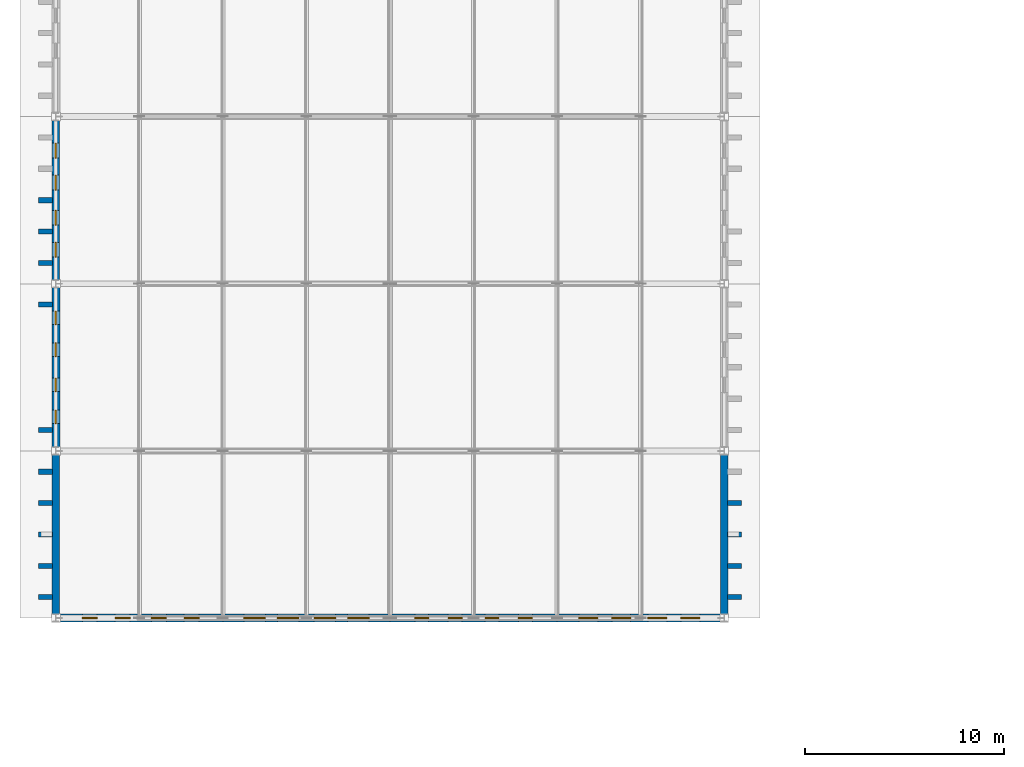
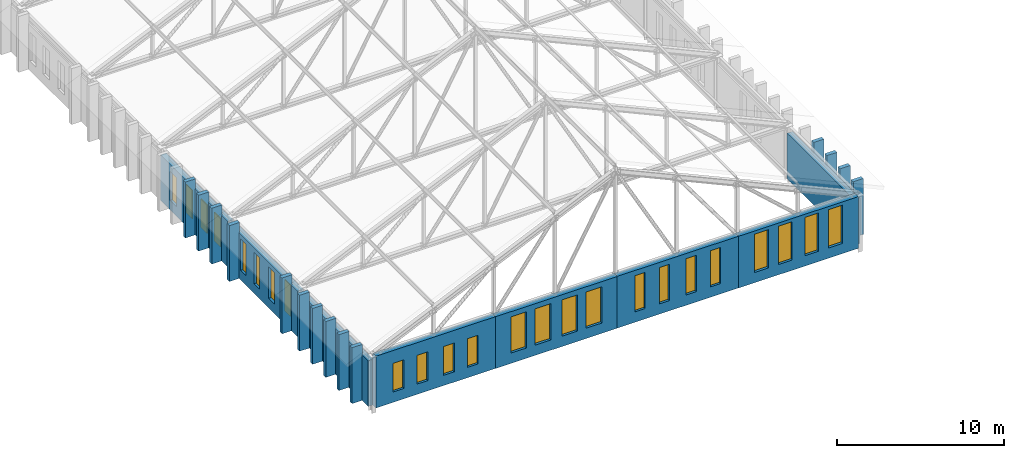
# One storey, part 82 of 110: 24 windows, 22 walls, 24 openings.
"""IFC4 building model written with IfcOpenShell, lengths in metres."""

from ifc_helpers import new_model, si_unit, direction, frame, frame_2d, origin, place, context, subcontext, project, spatial, rectangle, extrude, material, layer, layer_set, type_object, element, fill, save


model = new_model("IFC4")

# Units and contexts
model_context = context("Model", 3, precision=1e-05, world=origin(), true_north=direction((0.0, 1.0)))
body_context = subcontext(model_context, "Body", "Model", "MODEL_VIEW")
ifc_project = project(units=[si_unit("LENGTHUNIT", "METRE"), si_unit("AREAUNIT", "SQUARE_METRE"), si_unit("VOLUMEUNIT", "CUBIC_METRE"), si_unit("PLANEANGLEUNIT", "RADIAN"), si_unit("MASSUNIT", "GRAM", prefix="KILO")], contexts=[model_context])

# Site, building, storey
site_placement = place(None, origin())
site = spatial("IfcSite", under=ifc_project, at=site_placement, CompositionType="ELEMENT")
building_placement = place(site_placement, origin())
building = spatial("IfcBuilding", under=site, at=building_placement, Name="Kveldsbrygga Polytechnic", CompositionType="ELEMENT")
storey_placement = place(building_placement, frame((0.0, 0.0, 9.860107421875)))
storey = spatial("IfcBuildingStorey", under=building, at=storey_placement, Name="L02", CompositionType="ELEMENT", Elevation=9.860107421875)

# Wall, openings, windows
ifc_material_1 = material(Name="Fired clay brick masonry M10", Category="masonry")
ifc_layer_1 = layer(ifc_material_1, 0.3798828125)
ifc_layer_set_1 = layer_set([ifc_layer_1], Name="Fired clay brick masonry M10")
wall_type_1 = type_object("IfcWallType", Name="EW-BRICK-380", PredefinedType="SOLIDWALL", material=ifc_layer_set_1)
wall_1_placement = place(storey_placement, frame((0.135009765625, 25.199951171875, 0.0), z_axis=(0.0, 0.0, 1.0), x_axis=(1.0, 0.0, 0.0)))
wall_1 = element("IfcWall", 1, at=wall_1_placement, inside=storey, type_object=wall_type_1, Name="Exterior Brick Wall EW-L02-X-00-03", PredefinedType="SOLIDWALL", context=body_context, shape_type="SweptSolid", body=[
    extrude(rectangle(XDim=8.264892578125, YDim=0.3798828125, at=frame_2d((4.13232421875, 0.0))), origin(), (0.0, 0.0, 1.0), 3.77978515625),
])
opening_1_placement = place(wall_1_placement, frame((1.1953125, 0.0, 0.75)))
opening_1 = element("IfcOpeningElement", 2, at=opening_1_placement, cuts=wall_1, Name="Opening W-27", PredefinedType="OPENING", context=body_context, shape_type="SweptSolid", body=[
    extrude(rectangle(XDim=0.75, YDim=2.10009765625, at=frame_2d((0.375, 1.050048828125))), frame((0.0, 0.199951171875, 0.0), z_axis=(0.0, -1.0, 0.0), x_axis=(1.0, 0.0, 0.0)), (0.0, 0.0, 1.0), 0.39990234375),
])
opening_2_placement = place(wall_1_placement, frame((2.848388671875, 0.0, 0.75)))
opening_2 = element("IfcOpeningElement", 3, at=opening_2_placement, cuts=wall_1, Name="Opening W-27", PredefinedType="OPENING", context=body_context, shape_type="SweptSolid", body=[
    extrude(rectangle(XDim=0.75, YDim=2.10009765625, at=frame_2d((0.375, 1.050048828125))), frame((0.0, 0.199951171875, 0.0), z_axis=(0.0, -1.0, 0.0), x_axis=(1.0, 0.0, 0.0)), (0.0, 0.0, 1.0), 0.39990234375),
])
opening_3_placement = place(wall_1_placement, frame((4.666748046875, 0.0, 0.75)))
opening_3 = element("IfcOpeningElement", 4, at=opening_3_placement, cuts=wall_1, Name="Opening W-27", PredefinedType="OPENING", context=body_context, shape_type="SweptSolid", body=[
    extrude(rectangle(XDim=0.75, YDim=2.10009765625, at=frame_2d((0.375, 1.050048828125))), frame((0.0, 0.199951171875, 0.0), z_axis=(0.0, -1.0, 0.0), x_axis=(1.0, 0.0, 0.0)), (0.0, 0.0, 1.0), 0.39990234375),
])
opening_4_placement = place(wall_1_placement, frame((6.319580078125, 0.0, 0.75)))
opening_4 = element("IfcOpeningElement", 5, at=opening_4_placement, cuts=wall_1, Name="Opening W-27", PredefinedType="OPENING", context=body_context, shape_type="SweptSolid", body=[
    extrude(rectangle(XDim=0.75, YDim=2.10009765625, at=frame_2d((0.375, 1.050048828125))), frame((0.0, 0.199951171875, 0.0), z_axis=(0.0, -1.0, 0.0), x_axis=(1.0, 0.0, 0.0)), (0.0, 0.0, 1.0), 0.39990234375),
])
ifc_material_2 = material(Name="Insulated triple low-E glass", Category="glass")
window_type_1 = type_object("IfcWindowType", Name="WN-ATTIC-075x210", PartitioningType="DOUBLE_PANEL_VERTICAL", PredefinedType="WINDOW", material=ifc_material_2)
window_1_placement = place(opening_1_placement, origin())
window_1 = element("IfcWindow", 6, at=window_1_placement, inside=storey, type_object=window_type_1, Name="Gothic Lancet Window WIN-L02-X-00-03-1", OverallHeight=2.10009765625, OverallWidth=0.75, PartitioningType="DOUBLE_PANEL_VERTICAL", PredefinedType="WINDOW", context=body_context, shape_type="SweptSolid", body=[
    extrude(rectangle(XDim=0.75, YDim=2.10009765625, at=frame_2d((0.375, 1.050048828125))), frame((0.0, 0.030029296875, 0.0), z_axis=(0.0, -1.0, 0.0), x_axis=(1.0, 0.0, 0.0)), (0.0, 0.0, 1.0), 0.06005859375),
])
fill(opening_1, window_1)
window_2_placement = place(opening_2_placement, origin())
window_2 = element("IfcWindow", 7, at=window_2_placement, inside=storey, type_object=window_type_1, Name="Gothic Lancet Window WIN-L02-X-00-03-2", OverallHeight=2.10009765625, OverallWidth=0.75, PartitioningType="DOUBLE_PANEL_VERTICAL", PredefinedType="WINDOW", context=body_context, shape_type="SweptSolid", body=[
    extrude(rectangle(XDim=0.75, YDim=2.10009765625, at=frame_2d((0.375, 1.050048828125))), frame((0.0, 0.030029296875, 0.0), z_axis=(0.0, -1.0, 0.0), x_axis=(1.0, 0.0, 0.0)), (0.0, 0.0, 1.0), 0.06005859375),
])
fill(opening_2, window_2)
window_3_placement = place(opening_3_placement, origin())
window_3 = element("IfcWindow", 8, at=window_3_placement, inside=storey, type_object=window_type_1, Name="Gothic Lancet Window WIN-L02-X-00-03-3", OverallHeight=2.10009765625, OverallWidth=0.75, PartitioningType="DOUBLE_PANEL_VERTICAL", PredefinedType="WINDOW", context=body_context, shape_type="SweptSolid", body=[
    extrude(rectangle(XDim=0.75, YDim=2.10009765625, at=frame_2d((0.375, 1.050048828125))), frame((0.0, 0.030029296875, 0.0), z_axis=(0.0, -1.0, 0.0), x_axis=(1.0, 0.0, 0.0)), (0.0, 0.0, 1.0), 0.06005859375),
])
fill(opening_3, window_3)
window_4_placement = place(opening_4_placement, origin())
window_4 = element("IfcWindow", 9, at=window_4_placement, inside=storey, type_object=window_type_1, Name="Gothic Lancet Window WIN-L02-X-00-03-4", OverallHeight=2.10009765625, OverallWidth=0.75, PartitioningType="DOUBLE_PANEL_VERTICAL", PredefinedType="WINDOW", context=body_context, shape_type="SweptSolid", body=[
    extrude(rectangle(XDim=0.75, YDim=2.10009765625, at=frame_2d((0.375, 1.050048828125))), frame((0.0, 0.030029296875, 0.0), z_axis=(0.0, -1.0, 0.0), x_axis=(1.0, 0.0, 0.0)), (0.0, 0.0, 1.0), 0.06005859375),
])
fill(opening_4, window_4)

# Wall
wall_2_placement = place(storey_placement, frame((0.0, 25.385009765625, 0.0), z_axis=(0.0, 0.0, 1.0), x_axis=(0.0, 1.0, 0.0)))
element("IfcWall", 10, at=wall_2_placement, inside=storey, type_object=wall_type_1, Name="Exterior Brick Wall EW-L02-Y-00-03", PredefinedType="SOLIDWALL", context=body_context, shape_type="SweptSolid", body=[
    extrude(rectangle(XDim=8.030029296875, YDim=0.3798828125, at=frame_2d((4.01513671875, 0.0))), origin(), (0.0, 0.0, 1.0), 3.329833984375),
])

# Wall, openings, windows
wall_3_placement = place(storey_placement, frame((0.0, 42.18505859375, 0.0), z_axis=(0.0, 0.0, 1.0), x_axis=(0.0, 1.0, 0.0)))
wall_3 = element("IfcWall", 11, at=wall_3_placement, inside=storey, type_object=wall_type_1, Name="Exterior Brick Wall EW-L02-Y-00-05", PredefinedType="SOLIDWALL", context=body_context, shape_type="SweptSolid", body=[
    extrude(rectangle(XDim=8.030029296875, YDim=0.3798828125, at=frame_2d((4.01513671875, 0.0))), origin(), (0.0, 0.0, 1.0), 3.329833984375),
])
opening_5_placement = place(wall_3_placement, frame((1.150634765625, 0.0, 0.699951171875)))
opening_5 = element("IfcOpeningElement", 12, at=opening_5_placement, cuts=wall_3, Name="Opening W-27", PredefinedType="OPENING", context=body_context, shape_type="SweptSolid", body=[
    extrude(rectangle(XDim=0.75, YDim=2.10009765625, at=frame_2d((0.375, 1.050048828125))), frame((0.0, 0.199951171875, 0.0), z_axis=(0.0, -1.0, 0.0), x_axis=(1.0, 0.0, 0.0)), (0.0, 0.0, 1.0), 0.39990234375),
])
opening_6_placement = place(wall_3_placement, frame((2.756591796875, 0.0, 0.699951171875)))
opening_6 = element("IfcOpeningElement", 13, at=opening_6_placement, cuts=wall_3, Name="Opening W-27", PredefinedType="OPENING", context=body_context, shape_type="SweptSolid", body=[
    extrude(rectangle(XDim=0.75, YDim=2.10009765625, at=frame_2d((0.375, 1.050048828125))), frame((0.0, 0.199951171875, 0.0), z_axis=(0.0, -1.0, 0.0), x_axis=(1.0, 0.0, 0.0)), (0.0, 0.0, 1.0), 0.39990234375),
])
opening_7_placement = place(wall_3_placement, frame((4.523193359375, 0.0, 0.699951171875)))
opening_7 = element("IfcOpeningElement", 14, at=opening_7_placement, cuts=wall_3, Name="Opening W-27", PredefinedType="OPENING", context=body_context, shape_type="SweptSolid", body=[
    extrude(rectangle(XDim=0.75, YDim=2.10009765625, at=frame_2d((0.375, 1.050048828125))), frame((0.0, 0.199951171875, 0.0), z_axis=(0.0, -1.0, 0.0), x_axis=(1.0, 0.0, 0.0)), (0.0, 0.0, 1.0), 0.39990234375),
])
opening_8_placement = place(wall_3_placement, frame((6.12939453125, 0.0, 0.699951171875)))
opening_8 = element("IfcOpeningElement", 15, at=opening_8_placement, cuts=wall_3, Name="Opening W-27", PredefinedType="OPENING", context=body_context, shape_type="SweptSolid", body=[
    extrude(rectangle(XDim=0.75, YDim=2.10009765625, at=frame_2d((0.375, 1.050048828125))), frame((0.0, 0.199951171875, 0.0), z_axis=(0.0, -1.0, 0.0), x_axis=(1.0, 0.0, 0.0)), (0.0, 0.0, 1.0), 0.39990234375),
])
window_5_placement = place(opening_5_placement, origin())
window_5 = element("IfcWindow", 16, at=window_5_placement, inside=storey, type_object=window_type_1, Name="Gothic Lancet Window WIN-L02-Y-00-05-1", OverallHeight=2.10009765625, OverallWidth=0.75, PartitioningType="DOUBLE_PANEL_VERTICAL", PredefinedType="WINDOW", context=body_context, shape_type="SweptSolid", body=[
    extrude(rectangle(XDim=0.75, YDim=2.10009765625, at=frame_2d((0.375, 1.050048828125))), frame((0.0, 0.030029296875, 0.0), z_axis=(0.0, -1.0, 0.0), x_axis=(1.0, 0.0, 0.0)), (0.0, 0.0, 1.0), 0.06005859375),
])
fill(opening_5, window_5)
window_6_placement = place(opening_6_placement, origin())
window_6 = element("IfcWindow", 17, at=window_6_placement, inside=storey, type_object=window_type_1, Name="Gothic Lancet Window WIN-L02-Y-00-05-2", OverallHeight=2.10009765625, OverallWidth=0.75, PartitioningType="DOUBLE_PANEL_VERTICAL", PredefinedType="WINDOW", context=body_context, shape_type="SweptSolid", body=[
    extrude(rectangle(XDim=0.75, YDim=2.10009765625, at=frame_2d((0.375, 1.050048828125))), frame((0.0, 0.030029296875, 0.0), z_axis=(0.0, -1.0, 0.0), x_axis=(1.0, 0.0, 0.0)), (0.0, 0.0, 1.0), 0.06005859375),
])
fill(opening_6, window_6)
window_7_placement = place(opening_7_placement, origin())
window_7 = element("IfcWindow", 18, at=window_7_placement, inside=storey, type_object=window_type_1, Name="Gothic Lancet Window WIN-L02-Y-00-05-3", OverallHeight=2.10009765625, OverallWidth=0.75, PartitioningType="DOUBLE_PANEL_VERTICAL", PredefinedType="WINDOW", context=body_context, shape_type="SweptSolid", body=[
    extrude(rectangle(XDim=0.75, YDim=2.10009765625, at=frame_2d((0.375, 1.050048828125))), frame((0.0, 0.030029296875, 0.0), z_axis=(0.0, -1.0, 0.0), x_axis=(1.0, 0.0, 0.0)), (0.0, 0.0, 1.0), 0.06005859375),
])
fill(opening_7, window_7)
window_8_placement = place(opening_8_placement, origin())
window_8 = element("IfcWindow", 19, at=window_8_placement, inside=storey, type_object=window_type_1, Name="Gothic Lancet Window WIN-L02-Y-00-05-4", OverallHeight=2.10009765625, OverallWidth=0.75, PartitioningType="DOUBLE_PANEL_VERTICAL", PredefinedType="WINDOW", context=body_context, shape_type="SweptSolid", body=[
    extrude(rectangle(XDim=0.75, YDim=2.10009765625, at=frame_2d((0.375, 1.050048828125))), frame((0.0, 0.030029296875, 0.0), z_axis=(0.0, -1.0, 0.0), x_axis=(1.0, 0.0, 0.0)), (0.0, 0.0, 1.0), 0.06005859375),
])
fill(opening_8, window_8)

wall_4_placement = place(storey_placement, frame((16.800048828125, 25.199951171875, 0.0), z_axis=(0.0, 0.0, 1.0), x_axis=(1.0, 0.0, 0.0)))
wall_4 = element("IfcWall", 20, at=wall_4_placement, inside=storey, type_object=wall_type_1, Name="Exterior Brick Wall EW-L02-X-02-03", PredefinedType="SOLIDWALL", context=body_context, shape_type="SweptSolid", body=[
    extrude(rectangle(XDim=8.39990234375, YDim=0.3798828125, at=frame_2d((4.199951171875, 0.0))), origin(), (0.0, 0.0, 1.0), 3.77978515625),
])
opening_9_placement = place(wall_4_placement, frame((1.24609375, 0.0, 0.75)))
opening_9 = element("IfcOpeningElement", 21, at=opening_9_placement, cuts=wall_4, Name="Opening W-43", PredefinedType="OPENING", context=body_context, shape_type="SweptSolid", body=[
    extrude(rectangle(XDim=0.699951171875, YDim=2.64990234375, at=frame_2d((0.35009765625, 1.324951171875))), frame((0.0, 0.199951171875, 0.0), z_axis=(0.0, -1.0, 0.0), x_axis=(1.0, 0.0, 0.0)), (0.0, 0.0, 1.0), 0.39990234375),
])
opening_10_placement = place(wall_4_placement, frame((2.926025390625, 0.0, 0.75)))
opening_10 = element("IfcOpeningElement", 22, at=opening_10_placement, cuts=wall_4, Name="Opening W-43", PredefinedType="OPENING", context=body_context, shape_type="SweptSolid", body=[
    extrude(rectangle(XDim=0.699951171875, YDim=2.64990234375, at=frame_2d((0.35009765625, 1.324951171875))), frame((0.0, 0.199951171875, 0.0), z_axis=(0.0, -1.0, 0.0), x_axis=(1.0, 0.0, 0.0)), (0.0, 0.0, 1.0), 0.39990234375),
])
opening_11_placement = place(wall_4_placement, frame((4.77392578125, 0.0, 0.75)))
opening_11 = element("IfcOpeningElement", 23, at=opening_11_placement, cuts=wall_4, Name="Opening W-43", PredefinedType="OPENING", context=body_context, shape_type="SweptSolid", body=[
    extrude(rectangle(XDim=0.699951171875, YDim=2.64990234375, at=frame_2d((0.35009765625, 1.324951171875))), frame((0.0, 0.199951171875, 0.0), z_axis=(0.0, -1.0, 0.0), x_axis=(1.0, 0.0, 0.0)), (0.0, 0.0, 1.0), 0.39990234375),
])
opening_12_placement = place(wall_4_placement, frame((6.4541015625, 0.0, 0.75)))
opening_12 = element("IfcOpeningElement", 24, at=opening_12_placement, cuts=wall_4, Name="Opening W-43", PredefinedType="OPENING", context=body_context, shape_type="SweptSolid", body=[
    extrude(rectangle(XDim=0.699951171875, YDim=2.64990234375, at=frame_2d((0.35009765625, 1.324951171875))), frame((0.0, 0.199951171875, 0.0), z_axis=(0.0, -1.0, 0.0), x_axis=(1.0, 0.0, 0.0)), (0.0, 0.0, 1.0), 0.39990234375),
])
window_type_2 = type_object("IfcWindowType", Name="WN-LANC-070x265", PartitioningType="DOUBLE_PANEL_VERTICAL", PredefinedType="WINDOW", material=ifc_material_2)
window_9_placement = place(opening_9_placement, origin())
window_9 = element("IfcWindow", 25, at=window_9_placement, inside=storey, type_object=window_type_2, Name="Gothic Lancet Window WIN-L02-X-02-03-1", OverallHeight=2.64990234375, OverallWidth=0.699951171875, PartitioningType="DOUBLE_PANEL_VERTICAL", PredefinedType="WINDOW", context=body_context, shape_type="SweptSolid", body=[
    extrude(rectangle(XDim=0.699951171875, YDim=2.64990234375, at=frame_2d((0.35009765625, 1.324951171875))), frame((0.0, 0.030029296875, 0.0), z_axis=(0.0, -1.0, 0.0), x_axis=(1.0, 0.0, 0.0)), (0.0, 0.0, 1.0), 0.06005859375),
])
fill(opening_9, window_9)
window_10_placement = place(opening_10_placement, origin())
window_10 = element("IfcWindow", 26, at=window_10_placement, inside=storey, type_object=window_type_2, Name="Gothic Lancet Window WIN-L02-X-02-03-2", OverallHeight=2.64990234375, OverallWidth=0.699951171875, PartitioningType="DOUBLE_PANEL_VERTICAL", PredefinedType="WINDOW", context=body_context, shape_type="SweptSolid", body=[
    extrude(rectangle(XDim=0.699951171875, YDim=2.64990234375, at=frame_2d((0.35009765625, 1.324951171875))), frame((0.0, 0.030029296875, 0.0), z_axis=(0.0, -1.0, 0.0), x_axis=(1.0, 0.0, 0.0)), (0.0, 0.0, 1.0), 0.06005859375),
])
fill(opening_10, window_10)
window_11_placement = place(opening_11_placement, origin())
window_11 = element("IfcWindow", 27, at=window_11_placement, inside=storey, type_object=window_type_2, Name="Gothic Lancet Window WIN-L02-X-02-03-3", OverallHeight=2.64990234375, OverallWidth=0.699951171875, PartitioningType="DOUBLE_PANEL_VERTICAL", PredefinedType="WINDOW", context=body_context, shape_type="SweptSolid", body=[
    extrude(rectangle(XDim=0.699951171875, YDim=2.64990234375, at=frame_2d((0.35009765625, 1.324951171875))), frame((0.0, 0.030029296875, 0.0), z_axis=(0.0, -1.0, 0.0), x_axis=(1.0, 0.0, 0.0)), (0.0, 0.0, 1.0), 0.06005859375),
])
fill(opening_11, window_11)
window_12_placement = place(opening_12_placement, origin())
window_12 = element("IfcWindow", 28, at=window_12_placement, inside=storey, type_object=window_type_2, Name="Gothic Lancet Window WIN-L02-X-02-03-4", OverallHeight=2.64990234375, OverallWidth=0.699951171875, PartitioningType="DOUBLE_PANEL_VERTICAL", PredefinedType="WINDOW", context=body_context, shape_type="SweptSolid", body=[
    extrude(rectangle(XDim=0.699951171875, YDim=2.64990234375, at=frame_2d((0.35009765625, 1.324951171875))), frame((0.0, 0.030029296875, 0.0), z_axis=(0.0, -1.0, 0.0), x_axis=(1.0, 0.0, 0.0)), (0.0, 0.0, 1.0), 0.06005859375),
])
fill(opening_12, window_12)

# Wall
wall_5_placement = place(storey_placement, frame((33.60009765625, 25.385009765625, 0.0), z_axis=(0.0, 0.0, 1.0), x_axis=(0.0, 1.0, 0.0)))
element("IfcWall", 29, at=wall_5_placement, inside=storey, type_object=wall_type_1, Name="Exterior Brick Wall EW-L02-Y-04-03", PredefinedType="SOLIDWALL", context=body_context, shape_type="SweptSolid", body=[
    extrude(rectangle(XDim=8.030029296875, YDim=0.3798828125, at=frame_2d((4.01513671875, 0.0))), origin(), (0.0, 0.0, 1.0), 3.329833984375),
])

# Wall, openings, windows
ifc_layer_2 = layer(ifc_material_1, 0.39990234375)
ifc_layer_set_2 = layer_set([ifc_layer_2], Name="Fired clay brick masonry M10")
wall_type_2 = type_object("IfcWallType", Name="EW-BRICK-400", PredefinedType="SOLIDWALL", material=ifc_layer_set_2)
wall_6_placement = place(storey_placement, frame((0.0, 33.784912109375, 0.0), z_axis=(0.0, 0.0, 1.0), x_axis=(0.0, 1.0, 0.0)))
wall_6 = element("IfcWall", 30, at=wall_6_placement, inside=storey, type_object=wall_type_2, Name="Exterior Brick Wall EW-L02-Y-00-04", PredefinedType="SOLIDWALL", context=body_context, shape_type="SweptSolid", body=[
    extrude(rectangle(XDim=8.030029296875, YDim=0.39990234375, at=frame_2d((4.01513671875, 0.0))), origin(), (0.0, 0.0, 1.0), 3.329833984375),
])
opening_13_placement = place(wall_6_placement, frame((1.185791015625, 0.0, 0.699951171875)))
opening_13 = element("IfcOpeningElement", 31, at=opening_13_placement, cuts=wall_6, Name="Opening W-42", PredefinedType="OPENING", context=body_context, shape_type="SweptSolid", body=[
    extrude(rectangle(XDim=0.679931640625, YDim=2.300048828125, at=frame_2d((0.33984375, 1.14990234375))), frame((0.0, 0.2099609375, 0.0), z_axis=(0.0, -1.0, 0.0), x_axis=(1.0, 0.0, 0.0)), (0.0, 0.0, 1.0), 0.419921875),
])
opening_14_placement = place(wall_6_placement, frame((2.791748046875, 0.0, 0.699951171875)))
opening_14 = element("IfcOpeningElement", 32, at=opening_14_placement, cuts=wall_6, Name="Opening W-42", PredefinedType="OPENING", context=body_context, shape_type="SweptSolid", body=[
    extrude(rectangle(XDim=0.679931640625, YDim=2.300048828125, at=frame_2d((0.33984375, 1.14990234375))), frame((0.0, 0.2099609375, 0.0), z_axis=(0.0, -1.0, 0.0), x_axis=(1.0, 0.0, 0.0)), (0.0, 0.0, 1.0), 0.419921875),
])
opening_15_placement = place(wall_6_placement, frame((4.558349609375, 0.0, 0.699951171875)))
opening_15 = element("IfcOpeningElement", 33, at=opening_15_placement, cuts=wall_6, Name="Opening W-42", PredefinedType="OPENING", context=body_context, shape_type="SweptSolid", body=[
    extrude(rectangle(XDim=0.679931640625, YDim=2.300048828125, at=frame_2d((0.33984375, 1.14990234375))), frame((0.0, 0.2099609375, 0.0), z_axis=(0.0, -1.0, 0.0), x_axis=(1.0, 0.0, 0.0)), (0.0, 0.0, 1.0), 0.419921875),
])
opening_16_placement = place(wall_6_placement, frame((6.164306640625, 0.0, 0.699951171875)))
opening_16 = element("IfcOpeningElement", 34, at=opening_16_placement, cuts=wall_6, Name="Opening W-42", PredefinedType="OPENING", context=body_context, shape_type="SweptSolid", body=[
    extrude(rectangle(XDim=0.679931640625, YDim=2.300048828125, at=frame_2d((0.33984375, 1.14990234375))), frame((0.0, 0.2099609375, 0.0), z_axis=(0.0, -1.0, 0.0), x_axis=(1.0, 0.0, 0.0)), (0.0, 0.0, 1.0), 0.419921875),
])
window_type_3 = type_object("IfcWindowType", Name="WN-LANC-068x230", PartitioningType="DOUBLE_PANEL_VERTICAL", PredefinedType="WINDOW", material=ifc_material_2)
window_13_placement = place(opening_13_placement, origin())
window_13 = element("IfcWindow", 35, at=window_13_placement, inside=storey, type_object=window_type_3, Name="Gothic Lancet Window WIN-L02-Y-00-04-1", OverallHeight=2.300048828125, OverallWidth=0.679931640625, PartitioningType="DOUBLE_PANEL_VERTICAL", PredefinedType="WINDOW", context=body_context, shape_type="SweptSolid", body=[
    extrude(rectangle(XDim=0.679931640625, YDim=2.300048828125, at=frame_2d((0.33984375, 1.14990234375))), frame((0.0, 0.030029296875, 0.0), z_axis=(0.0, -1.0, 0.0), x_axis=(1.0, 0.0, 0.0)), (0.0, 0.0, 1.0), 0.06005859375),
])
fill(opening_13, window_13)
window_14_placement = place(opening_14_placement, origin())
window_14 = element("IfcWindow", 36, at=window_14_placement, inside=storey, type_object=window_type_3, Name="Gothic Lancet Window WIN-L02-Y-00-04-2", OverallHeight=2.300048828125, OverallWidth=0.679931640625, PartitioningType="DOUBLE_PANEL_VERTICAL", PredefinedType="WINDOW", context=body_context, shape_type="SweptSolid", body=[
    extrude(rectangle(XDim=0.679931640625, YDim=2.300048828125, at=frame_2d((0.33984375, 1.14990234375))), frame((0.0, 0.030029296875, 0.0), z_axis=(0.0, -1.0, 0.0), x_axis=(1.0, 0.0, 0.0)), (0.0, 0.0, 1.0), 0.06005859375),
])
fill(opening_14, window_14)
window_15_placement = place(opening_15_placement, origin())
window_15 = element("IfcWindow", 37, at=window_15_placement, inside=storey, type_object=window_type_3, Name="Gothic Lancet Window WIN-L02-Y-00-04-3", OverallHeight=2.300048828125, OverallWidth=0.679931640625, PartitioningType="DOUBLE_PANEL_VERTICAL", PredefinedType="WINDOW", context=body_context, shape_type="SweptSolid", body=[
    extrude(rectangle(XDim=0.679931640625, YDim=2.300048828125, at=frame_2d((0.33984375, 1.14990234375))), frame((0.0, 0.030029296875, 0.0), z_axis=(0.0, -1.0, 0.0), x_axis=(1.0, 0.0, 0.0)), (0.0, 0.0, 1.0), 0.06005859375),
])
fill(opening_15, window_15)
window_16_placement = place(opening_16_placement, origin())
window_16 = element("IfcWindow", 38, at=window_16_placement, inside=storey, type_object=window_type_3, Name="Gothic Lancet Window WIN-L02-Y-00-04-4", OverallHeight=2.300048828125, OverallWidth=0.679931640625, PartitioningType="DOUBLE_PANEL_VERTICAL", PredefinedType="WINDOW", context=body_context, shape_type="SweptSolid", body=[
    extrude(rectangle(XDim=0.679931640625, YDim=2.300048828125, at=frame_2d((0.33984375, 1.14990234375))), frame((0.0, 0.030029296875, 0.0), z_axis=(0.0, -1.0, 0.0), x_axis=(1.0, 0.0, 0.0)), (0.0, 0.0, 1.0), 0.06005859375),
])
fill(opening_16, window_16)

wall_7_placement = place(storey_placement, frame((8.39990234375, 25.199951171875, 0.0), z_axis=(0.0, 0.0, 1.0), x_axis=(1.0, 0.0, 0.0)))
wall_7 = element("IfcWall", 39, at=wall_7_placement, inside=storey, type_object=wall_type_2, Name="Exterior Brick Wall EW-L02-X-01-03", PredefinedType="SOLIDWALL", context=body_context, shape_type="SweptSolid", body=[
    extrude(rectangle(XDim=8.400146484375, YDim=0.39990234375, at=frame_2d((4.2001953125, 0.0))), origin(), (0.0, 0.0, 1.0), 3.77978515625),
])
opening_17_placement = place(wall_7_placement, frame((1.055908203125, 0.0, 0.75)))
opening_17 = element("IfcOpeningElement", 40, at=opening_17_placement, cuts=wall_7, Name="Opening W-40", PredefinedType="OPENING", context=body_context, shape_type="SweptSolid", body=[
    extrude(rectangle(XDim=1.080078125, YDim=2.64990234375, at=frame_2d((0.5400390625, 1.324951171875))), frame((0.0, 0.2099609375, 0.0), z_axis=(0.0, -1.0, 0.0), x_axis=(1.0, 0.0, 0.0)), (0.0, 0.0, 1.0), 0.419921875),
])
opening_18_placement = place(wall_7_placement, frame((2.736083984375, 0.0, 0.75)))
opening_18 = element("IfcOpeningElement", 41, at=opening_18_placement, cuts=wall_7, Name="Opening W-40", PredefinedType="OPENING", context=body_context, shape_type="SweptSolid", body=[
    extrude(rectangle(XDim=1.080078125, YDim=2.64990234375, at=frame_2d((0.5400390625, 1.324951171875))), frame((0.0, 0.2099609375, 0.0), z_axis=(0.0, -1.0, 0.0), x_axis=(1.0, 0.0, 0.0)), (0.0, 0.0, 1.0), 0.419921875),
])
opening_19_placement = place(wall_7_placement, frame((4.583984375, 0.0, 0.75)))
opening_19 = element("IfcOpeningElement", 42, at=opening_19_placement, cuts=wall_7, Name="Opening W-40", PredefinedType="OPENING", context=body_context, shape_type="SweptSolid", body=[
    extrude(rectangle(XDim=1.080078125, YDim=2.64990234375, at=frame_2d((0.5400390625, 1.324951171875))), frame((0.0, 0.2099609375, 0.0), z_axis=(0.0, -1.0, 0.0), x_axis=(1.0, 0.0, 0.0)), (0.0, 0.0, 1.0), 0.419921875),
])
opening_20_placement = place(wall_7_placement, frame((6.263916015625, 0.0, 0.75)))
opening_20 = element("IfcOpeningElement", 43, at=opening_20_placement, cuts=wall_7, Name="Opening W-40", PredefinedType="OPENING", context=body_context, shape_type="SweptSolid", body=[
    extrude(rectangle(XDim=1.080078125, YDim=2.64990234375, at=frame_2d((0.5400390625, 1.324951171875))), frame((0.0, 0.2099609375, 0.0), z_axis=(0.0, -1.0, 0.0), x_axis=(1.0, 0.0, 0.0)), (0.0, 0.0, 1.0), 0.419921875),
])
window_type_4 = type_object("IfcWindowType", Name="WN-LANC-108x265", PartitioningType="DOUBLE_PANEL_VERTICAL", PredefinedType="WINDOW", material=ifc_material_2)
window_17_placement = place(opening_17_placement, origin())
window_17 = element("IfcWindow", 44, at=window_17_placement, inside=storey, type_object=window_type_4, Name="Gothic Lancet Window WIN-L02-X-01-03-1", OverallHeight=2.64990234375, OverallWidth=1.080078125, PartitioningType="DOUBLE_PANEL_VERTICAL", PredefinedType="WINDOW", context=body_context, shape_type="SweptSolid", body=[
    extrude(rectangle(XDim=1.080078125, YDim=2.64990234375, at=frame_2d((0.5400390625, 1.324951171875))), frame((0.0, 0.030029296875, 0.0), z_axis=(0.0, -1.0, 0.0), x_axis=(1.0, 0.0, 0.0)), (0.0, 0.0, 1.0), 0.06005859375),
])
fill(opening_17, window_17)
window_18_placement = place(opening_18_placement, origin())
window_18 = element("IfcWindow", 45, at=window_18_placement, inside=storey, type_object=window_type_4, Name="Gothic Lancet Window WIN-L02-X-01-03-2", OverallHeight=2.64990234375, OverallWidth=1.080078125, PartitioningType="DOUBLE_PANEL_VERTICAL", PredefinedType="WINDOW", context=body_context, shape_type="SweptSolid", body=[
    extrude(rectangle(XDim=1.080078125, YDim=2.64990234375, at=frame_2d((0.5400390625, 1.324951171875))), frame((0.0, 0.030029296875, 0.0), z_axis=(0.0, -1.0, 0.0), x_axis=(1.0, 0.0, 0.0)), (0.0, 0.0, 1.0), 0.06005859375),
])
fill(opening_18, window_18)
window_19_placement = place(opening_19_placement, origin())
window_19 = element("IfcWindow", 46, at=window_19_placement, inside=storey, type_object=window_type_4, Name="Gothic Lancet Window WIN-L02-X-01-03-3", OverallHeight=2.64990234375, OverallWidth=1.080078125, PartitioningType="DOUBLE_PANEL_VERTICAL", PredefinedType="WINDOW", context=body_context, shape_type="SweptSolid", body=[
    extrude(rectangle(XDim=1.080078125, YDim=2.64990234375, at=frame_2d((0.5400390625, 1.324951171875))), frame((0.0, 0.030029296875, 0.0), z_axis=(0.0, -1.0, 0.0), x_axis=(1.0, 0.0, 0.0)), (0.0, 0.0, 1.0), 0.06005859375),
])
fill(opening_19, window_19)
window_20_placement = place(opening_20_placement, origin())
window_20 = element("IfcWindow", 47, at=window_20_placement, inside=storey, type_object=window_type_4, Name="Gothic Lancet Window WIN-L02-X-01-03-4", OverallHeight=2.64990234375, OverallWidth=1.080078125, PartitioningType="DOUBLE_PANEL_VERTICAL", PredefinedType="WINDOW", context=body_context, shape_type="SweptSolid", body=[
    extrude(rectangle(XDim=1.080078125, YDim=2.64990234375, at=frame_2d((0.5400390625, 1.324951171875))), frame((0.0, 0.030029296875, 0.0), z_axis=(0.0, -1.0, 0.0), x_axis=(1.0, 0.0, 0.0)), (0.0, 0.0, 1.0), 0.06005859375),
])
fill(opening_20, window_20)

wall_8_placement = place(storey_placement, frame((25.199951171875, 25.199951171875, 0.0), z_axis=(0.0, 0.0, 1.0), x_axis=(1.0, 0.0, 0.0)))
wall_8 = element("IfcWall", 48, at=wall_8_placement, inside=storey, type_object=wall_type_2, Name="Exterior Brick Wall EW-L02-X-03-03", PredefinedType="SOLIDWALL", context=body_context, shape_type="SweptSolid", body=[
    extrude(rectangle(XDim=8.26513671875, YDim=0.39990234375, at=frame_2d((4.132568359375, 0.0))), origin(), (0.0, 0.0, 1.0), 3.77978515625),
])
opening_21_placement = place(wall_8_placement, frame((1.095458984375, 0.0, 0.75)))
opening_21 = element("IfcOpeningElement", 49, at=opening_21_placement, cuts=wall_8, Name="Opening W-46", PredefinedType="OPENING", context=body_context, shape_type="SweptSolid", body=[
    extrude(rectangle(XDim=0.949951171875, YDim=2.800048828125, at=frame_2d((0.47509765625, 1.39990234375))), frame((0.0, 0.2099609375, 0.0), z_axis=(0.0, -1.0, 0.0), x_axis=(1.0, 0.0, 0.0)), (0.0, 0.0, 1.0), 0.419921875),
])
opening_22_placement = place(wall_8_placement, frame((2.748291015625, 0.0, 0.75)))
opening_22 = element("IfcOpeningElement", 50, at=opening_22_placement, cuts=wall_8, Name="Opening W-46", PredefinedType="OPENING", context=body_context, shape_type="SweptSolid", body=[
    extrude(rectangle(XDim=0.949951171875, YDim=2.800048828125, at=frame_2d((0.47509765625, 1.39990234375))), frame((0.0, 0.2099609375, 0.0), z_axis=(0.0, -1.0, 0.0), x_axis=(1.0, 0.0, 0.0)), (0.0, 0.0, 1.0), 0.419921875),
])
opening_23_placement = place(wall_8_placement, frame((4.566650390625, 0.0, 0.75)))
opening_23 = element("IfcOpeningElement", 51, at=opening_23_placement, cuts=wall_8, Name="Opening W-46", PredefinedType="OPENING", context=body_context, shape_type="SweptSolid", body=[
    extrude(rectangle(XDim=0.949951171875, YDim=2.800048828125, at=frame_2d((0.47509765625, 1.39990234375))), frame((0.0, 0.2099609375, 0.0), z_axis=(0.0, -1.0, 0.0), x_axis=(1.0, 0.0, 0.0)), (0.0, 0.0, 1.0), 0.419921875),
])
opening_24_placement = place(wall_8_placement, frame((6.2197265625, 0.0, 0.75)))
opening_24 = element("IfcOpeningElement", 52, at=opening_24_placement, cuts=wall_8, Name="Opening W-46", PredefinedType="OPENING", context=body_context, shape_type="SweptSolid", body=[
    extrude(rectangle(XDim=0.949951171875, YDim=2.800048828125, at=frame_2d((0.47509765625, 1.39990234375))), frame((0.0, 0.2099609375, 0.0), z_axis=(0.0, -1.0, 0.0), x_axis=(1.0, 0.0, 0.0)), (0.0, 0.0, 1.0), 0.419921875),
])
window_type_5 = type_object("IfcWindowType", Name="WN-LANC-095x280", PartitioningType="DOUBLE_PANEL_VERTICAL", PredefinedType="WINDOW", material=ifc_material_2)
window_21_placement = place(opening_21_placement, origin())
window_21 = element("IfcWindow", 53, at=window_21_placement, inside=storey, type_object=window_type_5, Name="Gothic Lancet Window WIN-L02-X-03-03-1", OverallHeight=2.800048828125, OverallWidth=0.949951171875, PartitioningType="DOUBLE_PANEL_VERTICAL", PredefinedType="WINDOW", context=body_context, shape_type="SweptSolid", body=[
    extrude(rectangle(XDim=0.949951171875, YDim=2.800048828125, at=frame_2d((0.47509765625, 1.39990234375))), frame((0.0, 0.030029296875, 0.0), z_axis=(0.0, -1.0, 0.0), x_axis=(1.0, 0.0, 0.0)), (0.0, 0.0, 1.0), 0.06005859375),
])
fill(opening_21, window_21)
window_22_placement = place(opening_22_placement, origin())
window_22 = element("IfcWindow", 54, at=window_22_placement, inside=storey, type_object=window_type_5, Name="Gothic Lancet Window WIN-L02-X-03-03-2", OverallHeight=2.800048828125, OverallWidth=0.949951171875, PartitioningType="DOUBLE_PANEL_VERTICAL", PredefinedType="WINDOW", context=body_context, shape_type="SweptSolid", body=[
    extrude(rectangle(XDim=0.949951171875, YDim=2.800048828125, at=frame_2d((0.47509765625, 1.39990234375))), frame((0.0, 0.030029296875, 0.0), z_axis=(0.0, -1.0, 0.0), x_axis=(1.0, 0.0, 0.0)), (0.0, 0.0, 1.0), 0.06005859375),
])
fill(opening_22, window_22)
window_23_placement = place(opening_23_placement, origin())
window_23 = element("IfcWindow", 55, at=window_23_placement, inside=storey, type_object=window_type_5, Name="Gothic Lancet Window WIN-L02-X-03-03-3", OverallHeight=2.800048828125, OverallWidth=0.949951171875, PartitioningType="DOUBLE_PANEL_VERTICAL", PredefinedType="WINDOW", context=body_context, shape_type="SweptSolid", body=[
    extrude(rectangle(XDim=0.949951171875, YDim=2.800048828125, at=frame_2d((0.47509765625, 1.39990234375))), frame((0.0, 0.030029296875, 0.0), z_axis=(0.0, -1.0, 0.0), x_axis=(1.0, 0.0, 0.0)), (0.0, 0.0, 1.0), 0.06005859375),
])
fill(opening_23, window_23)
window_24_placement = place(opening_24_placement, origin())
window_24 = element("IfcWindow", 56, at=window_24_placement, inside=storey, type_object=window_type_5, Name="Gothic Lancet Window WIN-L02-X-03-03-4", OverallHeight=2.800048828125, OverallWidth=0.949951171875, PartitioningType="DOUBLE_PANEL_VERTICAL", PredefinedType="WINDOW", context=body_context, shape_type="SweptSolid", body=[
    extrude(rectangle(XDim=0.949951171875, YDim=2.800048828125, at=frame_2d((0.47509765625, 1.39990234375))), frame((0.0, 0.030029296875, 0.0), z_axis=(0.0, -1.0, 0.0), x_axis=(1.0, 0.0, 0.0)), (0.0, 0.0, 1.0), 0.06005859375),
])
fill(opening_24, window_24)

# Walls
ifc_layer_3 = layer(ifc_material_1, 0.260009765625)
ifc_layer_set_3 = layer_set([ifc_layer_3], Name="Fired clay brick masonry M10")
wall_type_3 = type_object("IfcWallType", Name="EW-BUTT-260", PredefinedType="SOLIDWALL", material=ifc_layer_set_3)
for number, where, z_axis, x_axis, name in (
    (57, (-0.1650390625, 26.25, 0.0), (0.0, 0.0, 1.0), (-1.0, 0.0, 0.0), "Gothic Brick Buttress Pier BUTT-L02-Y-00-03-1"),
    (58, (-0.1650390625, 27.820068359375, 0.0), (0.0, 0.0, 1.0), (-1.0, 0.0, 0.0), "Gothic Brick Buttress Pier BUTT-L02-Y-00-03-2"),
    (59, (-0.1650390625, 29.39990234375, 0.0), (0.0, 0.0, 1.0), (-1.0, 0.0, 0.0), "Gothic Brick Buttress Pier BUTT-L02-Y-00-03-3"),
    (60, (-0.1650390625, 30.97998046875, 0.0), (0.0, 0.0, 1.0), (-1.0, 0.0, 0.0), "Gothic Brick Buttress Pier BUTT-L02-Y-00-03-4"),
    (61, (-0.1650390625, 32.550048828125, 0.0), (0.0, 0.0, 1.0), (-1.0, 0.0, 0.0), "Gothic Brick Buttress Pier BUTT-L02-Y-00-03-5"),
    (62, (-0.1650390625, 34.64990234375, 0.0), (0.0, 0.0, 1.0), (-1.0, 0.0, 0.0), "Gothic Brick Buttress Pier BUTT-L02-Y-00-04-1"),
    (63, (-0.1650390625, 40.949951171875, 0.0), (0.0, 0.0, 1.0), (-1.0, 0.0, 0.0), "Gothic Brick Buttress Pier BUTT-L02-Y-00-04-5"),
    (64, (-0.1650390625, 43.050048828125, 0.0), (0.0, 0.0, 1.0), (-1.0, 0.0, 0.0), "Gothic Brick Buttress Pier BUTT-L02-Y-00-05-1"),
    (65, (-0.1650390625, 44.6201171875, 0.0), (0.0, 0.0, 1.0), (-1.0, 0.0, 0.0), "Gothic Brick Buttress Pier BUTT-L02-Y-00-05-2"),
    (66, (-0.1650390625, 46.199951171875, 0.0), (0.0, 0.0, 1.0), (-1.0, 0.0, 0.0), "Gothic Brick Buttress Pier BUTT-L02-Y-00-05-3"),
):
    element("IfcWall", number, at=place(storey_placement, frame(where, z_axis=z_axis, x_axis=x_axis)), inside=storey, type_object=wall_type_3, Name=name, PredefinedType="SOLIDWALL", context=body_context, shape_type="SweptSolid", body=[
        extrude(rectangle(XDim=0.699951171875, YDim=0.260009765625, at=frame_2d((0.35009765625, 0.0))), origin(), (0.0, 0.0, 1.0), 4.079833984375),
    ])
for number, where, z_axis, x_axis, name in (
    (67, (33.764892578125, 26.25, 0.0), (0.0, 0.0, 1.0), (1.0, 0.0, 0.0), "Gothic Brick Buttress Pier BUTT-L02-Y-04-03-1"),
    (68, (33.764892578125, 27.820068359375, 0.0), (0.0, 0.0, 1.0), (1.0, 0.0, 0.0), "Gothic Brick Buttress Pier BUTT-L02-Y-04-03-2"),
    (69, (33.764892578125, 29.39990234375, 0.0), (0.0, 0.0, 1.0), (1.0, 0.0, 0.0), "Gothic Brick Buttress Pier BUTT-L02-Y-04-03-3"),
    (70, (33.764892578125, 30.97998046875, 0.0), (0.0, 0.0, 1.0), (1.0, 0.0, 0.0), "Gothic Brick Buttress Pier BUTT-L02-Y-04-03-4"),
):
    element("IfcWall", number, at=place(storey_placement, frame(where, z_axis=z_axis, x_axis=x_axis)), inside=storey, type_object=wall_type_3, Name=name, PredefinedType="SOLIDWALL", context=body_context, shape_type="SweptSolid", body=[
        extrude(rectangle(XDim=0.7001953125, YDim=0.260009765625, at=frame_2d((0.35009765625, 0.0))), origin(), (0.0, 0.0, 1.0), 4.079833984375),
    ])

save(model, "model.ifc")
